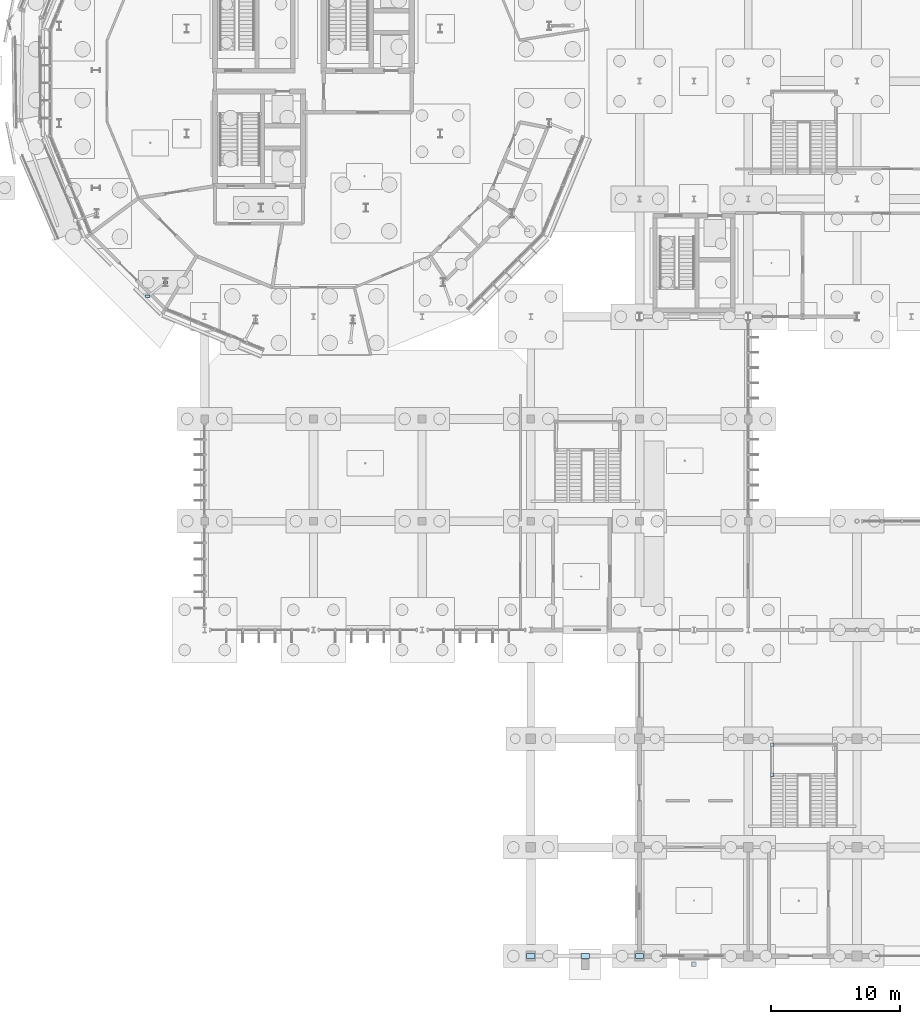
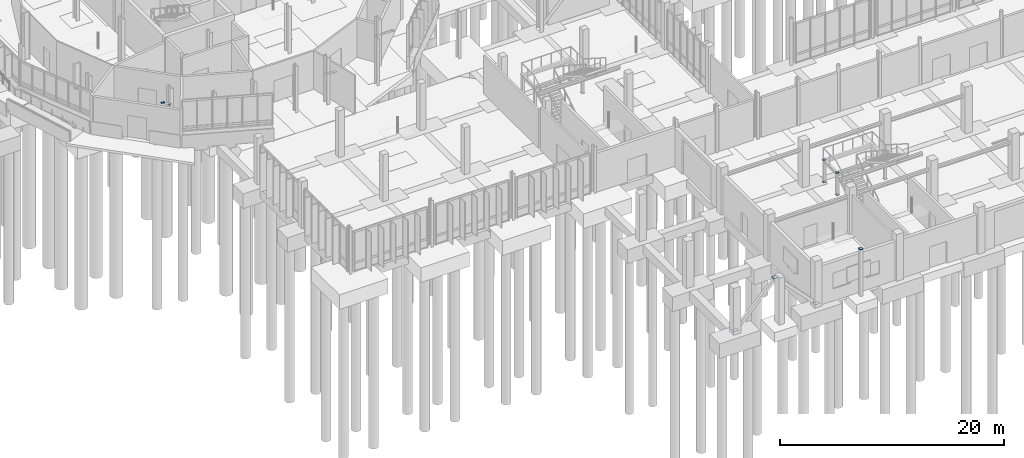
# One storey, part 73 of 119: 10 plates.
"""IFC4 building model written with IfcOpenShell, lengths in metres."""

from ifc_helpers import new_model, si_unit, derived_unit, direction, frame, origin, origin_2d, place, context, subcontext, project, spatial, rectangle, extrude, material, layer, layer_set, type_object, element, save


model = new_model("IFC4")

# Units and contexts
model_context = context("Model", 3, precision=1e-05, world=origin(), true_north=direction((0.0, 1.0)))
body_context = subcontext(model_context, "Body", "Model", "MODEL_VIEW")
ifc_project = project(units=[si_unit("LENGTHUNIT", "METRE"), si_unit("AREAUNIT", "SQUARE_METRE"), si_unit("VOLUMEUNIT", "CUBIC_METRE"), si_unit("PLANEANGLEUNIT", "RADIAN"), si_unit("MASSUNIT", "GRAM", prefix="KILO"), derived_unit("THERMALTRANSMITTANCEUNIT", [(si_unit("MASSUNIT", "GRAM", prefix="KILO"), 1), (si_unit("TIMEUNIT", "SECOND"), -3), (si_unit("THERMODYNAMICTEMPERATUREUNIT", "KELVIN"), -1)])], contexts=[model_context])

# Site, building, storey
site_placement = place(None, origin())
site = spatial("IfcSite", under=ifc_project, at=site_placement, CompositionType="ELEMENT")
building_placement = place(site_placement, origin())
building = spatial("IfcBuilding", under=site, at=building_placement, Name="Makaiwela Harbour Ferry Terminal", CompositionType="ELEMENT")
storey_placement = place(building_placement, origin())
storey = spatial("IfcBuildingStorey", under=building, at=storey_placement, Name="L00", CompositionType="ELEMENT", Elevation=0.0)

# Plates
ifc_material = material(Name="Steel ASTM A572 Grade 50", Category="steel")
ifc_layer_1 = layer(ifc_material, 0.02001953125)
ifc_layer_set_1 = layer_set([ifc_layer_1], Name="Steel ASTM A572 Grade 50")
plate_type_1 = type_object("IfcPlateType", Name="STR-PLT-CAP1", PredefinedType="SHEET", material=ifc_layer_set_1)
for number, where, z_axis, x_axis, name in (
    (1, (73.239990234375, 14.02001953125, -0.01708984375), (0.0, 0.0, 1.0), (1.0, 0.0, 0.0), "Post Sealing Cap Plate PC-0001"),
    (2, (73.239990234375, 14.02001953125, 2.39697265625), (0.0, 0.0, 1.0), (1.0, 0.0, 0.0), "Post Sealing Cap Plate PC-0002"),
    (3, (73.239990234375, 16.330078125, -0.01708984375), (0.0, 0.0, 1.0), (1.0, 0.0, 0.0), "Post Sealing Cap Plate PC-0005"),
    (4, (73.239990234375, 16.330078125, 2.39697265625), (0.0, 0.0, 1.0), (1.0, 0.0, 0.0), "Post Sealing Cap Plate PC-0006"),
):
    element("IfcPlate", number, at=place(storey_placement, frame(where, z_axis=z_axis, x_axis=x_axis)), inside=storey, type_object=plate_type_1, Name=name, PredefinedType="SHEET", context=body_context, shape_type="SweptSolid", body=[
        extrude(rectangle(XDim=0.280029296875, YDim=0.280029296875, at=origin_2d()), origin(), (0.0, 0.0, 1.0), 0.02001953125),
    ])
ifc_layer_2 = layer(ifc_material, 0.02197265625)
ifc_layer_set_2 = layer_set([ifc_layer_2], Name="Steel ASTM A572 Grade 50")
plate_type_2 = type_object("IfcPlateType", Name="STR-PLT-CAP2", PredefinedType="SHEET", material=ifc_layer_set_2)
plate_placement = place(storey_placement, frame((67.199951171875, -0.64990234375, 5.10009765625), z_axis=(0.0, 0.0, 1.0), x_axis=(1.0, 0.0, 0.0)))
element("IfcPlate", 5, at=plate_placement, inside=storey, type_object=plate_type_2, Name="Welded End Cap EC-0036", PredefinedType="SHEET", context=body_context, shape_type="SweptSolid", body=[
    extrude(rectangle(XDim=0.340087890625, YDim=0.340087890625, at=origin_2d()), origin(), (0.0, 0.0, 1.0), 0.02197265625),
])
ifc_layer_3 = layer(ifc_material, 0.02001953125)
ifc_layer_set_3 = layer_set([ifc_layer_3], Name="Steel ASTM A572 Grade 50")
plate_type_3 = type_object("IfcPlateType", Name="STR-PLT-CAP3", PredefinedType="SHEET", material=ifc_layer_set_3)
for number, where, z_axis, x_axis, name in (
    (6, (26.37744140625, 52.052490234375, 3.18994140625), (0.0, 0.0, 1.0), (1.0, 0.0, 0.0), "Welded End Cap EC-0024"),
    (7, (24.998291015625, 50.975341796875, 4.501953125), (0.0, 0.0, 1.0), (1.0, 0.0, 0.0), "Welded End Cap EC-0025"),
):
    element("IfcPlate", number, at=place(storey_placement, frame(where, z_axis=z_axis, x_axis=x_axis)), inside=storey, type_object=plate_type_3, Name=name, PredefinedType="SHEET", context=body_context, shape_type="SweptSolid", body=[
        extrude(rectangle(XDim=0.320068359375, YDim=0.219970703125, at=origin_2d()), origin(), (0.0, 0.0, 1.0), 0.02001953125),
    ])
ifc_layer_4 = layer(ifc_material, 0.028076171875)
ifc_layer_set_4 = layer_set([ifc_layer_4], Name="Steel ASTM A572 Grade 50")
plate_type_4 = type_object("IfcPlateType", Name="STR-PLT-GUS3", PredefinedType="USERDEFINED", material=ifc_layer_set_4)
for number, where, z_axis, x_axis, name in (
    (8, (58.800048828125, 0.0, 4.53125), (0.0, 0.0, 1.0), (1.0, 0.0, 0.0), "Truss Gusset Plate GP-109"),
    (9, (54.60009765625, 0.0, 0.2060546875), (0.0, 0.0, 1.0), (1.0, 0.0, 0.0), "Truss Gusset Plate GP-110"),
    (10, (63.0, 0.0, 0.2060546875), (0.0, 0.0, 1.0), (1.0, 0.0, 0.0), "Truss Gusset Plate GP-111"),
):
    element("IfcPlate", number, at=place(storey_placement, frame(where, z_axis=z_axis, x_axis=x_axis)), inside=storey, type_object=plate_type_4, Name=name, ObjectType="GUSSET PLATE", PredefinedType="USERDEFINED", context=body_context, shape_type="SweptSolid", body=[
        extrude(rectangle(XDim=0.639892578125, YDim=0.39990234375, at=origin_2d()), origin(), (0.0, 0.0, 1.0), 0.028076171875),
    ])

save(model, "model.ifc")
